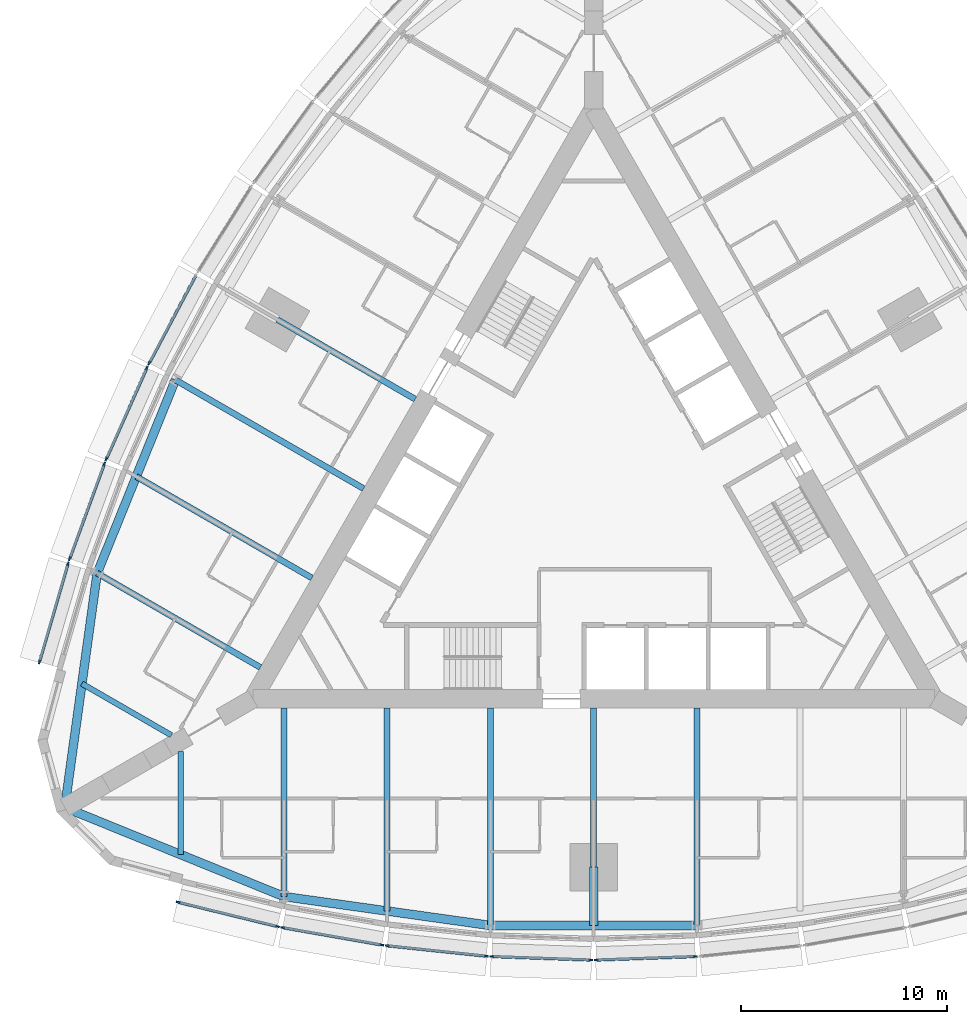
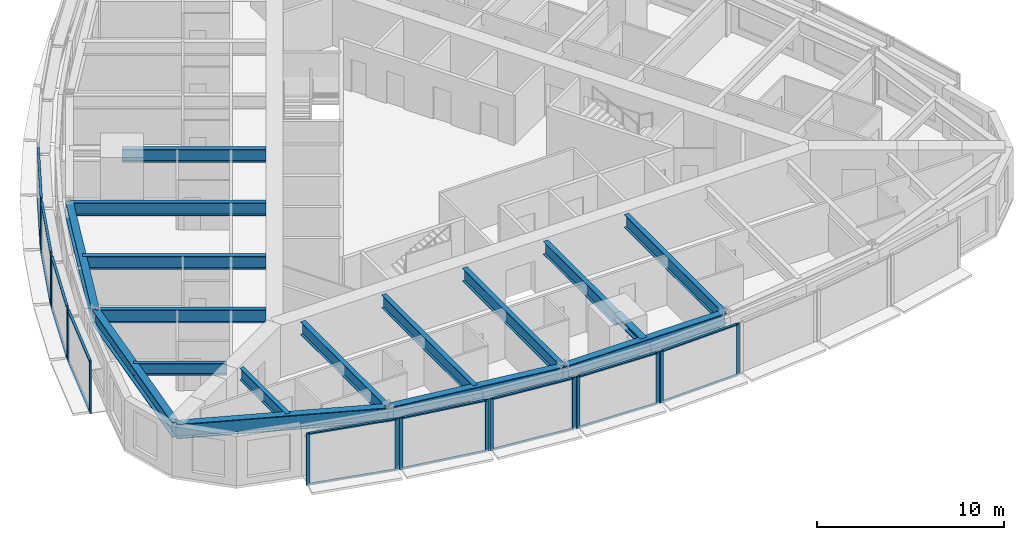
# One storey, part 2 of 14: 35 members, 17 beams, 9 elements without a shape of their own.
"""IFC4 building model written with IfcOpenShell, lengths in metres."""

from ifc_helpers import new_model, si_unit, direction, frame, origin, origin_2d, place, context, subcontext, project, spatial, rectangle, i_section, extrude, material, material_profile, profile_set, type_object, element, aggregate, save


model = new_model("IFC4")

# Units and contexts
model_context = context("Model", 3, precision=1e-05, world=origin(), true_north=direction((0.0, 1.0)))
body_context = subcontext(model_context, "Body", "Model", "MODEL_VIEW")
ifc_project = project(units=[si_unit("LENGTHUNIT", "METRE"), si_unit("AREAUNIT", "SQUARE_METRE"), si_unit("VOLUMEUNIT", "CUBIC_METRE"), si_unit("PLANEANGLEUNIT", "RADIAN"), si_unit("MASSUNIT", "GRAM", prefix="KILO")], contexts=[model_context])

# Site, building, storey
site_placement = place(None, origin())
site = spatial("IfcSite", under=ifc_project, at=site_placement, CompositionType="ELEMENT")
building_placement = place(site_placement, origin())
building = spatial("IfcBuilding", under=site, at=building_placement, Name="Trikona Tower", CompositionType="ELEMENT")
storey_placement = place(building_placement, frame((0.0, 0.0, 114.699951171875)))
storey = spatial("IfcBuildingStorey", under=building, at=storey_placement, Name="L29", CompositionType="ELEMENT", Elevation=114.699951171875)

# Curtain wall, members
ifc_material_1 = material(Name="Aluminium curtain wall system", Category="aluminium")
curtain_wall_type = type_object("IfcCurtainWallType", Name="Curtain wall DS2", PredefinedType="NOTDEFINED", material=ifc_material_1)
curtain_wall_1_placement = place(storey_placement, origin())
curtain_wall_1 = element("IfcCurtainWall", 1, at=curtain_wall_1_placement, inside=storey, type_object=curtain_wall_type, Name="Curtain wall DS2 L29", PredefinedType="NOTDEFINED")
ifc_material_2 = material(Name="Aluminium mullion, pale anodised", Category="aluminium")
ifc_material_profile_1 = material_profile(ifc_material_2, rectangle(XDim=0.080078125, YDim=0.199951171875, at=origin_2d()), Name="MUL-DS2")
ifc_profile_set_1 = profile_set([ifc_material_profile_1], Name="Aluminium mullion, pale anodised")
member_type_1 = type_object("IfcMemberType", Name="Mullion DS2 80x200", PredefinedType="MULLION", material=ifc_profile_set_1)
member_1_placement = place(storey_placement, frame((-20.116943359375, -19.373046875, 0.0), z_axis=(0.0, 0.0, 1.0), x_axis=(0.237970204243, 0.971272455026, 0.0)))
member_1 = element("IfcMember", 2, at=member_1_placement, type_object=member_type_1, Name="CW-DS2 mullion 1", PredefinedType="MULLION", context=body_context, shape_type="SweptSolid", body=[
    extrude(rectangle(XDim=0.080078125, YDim=0.199951171875, at=origin_2d()), origin(), (0.0, 0.0, 1.0), 3.400146484375),
])
member_2_placement = place(storey_placement, frame((-15.311279296875, -20.550537109375, 0.0), z_axis=(0.0, 0.0, 1.0), x_axis=(0.237970204243, 0.971272455026, 0.0)))
member_2 = element("IfcMember", 3, at=member_2_placement, type_object=member_type_1, Name="CW-DS2 mullion 2", PredefinedType="MULLION", context=body_context, shape_type="SweptSolid", body=[
    extrude(rectangle(XDim=0.080078125, YDim=0.199951171875, at=origin_2d()), origin(), (0.0, 0.0, 1.0), 3.400146484375),
])

curtain_wall_2_placement = place(storey_placement, origin())
curtain_wall_2 = element("IfcCurtainWall", 4, at=curtain_wall_2_placement, inside=storey, type_object=curtain_wall_type, Name="Curtain wall DS2 L29", PredefinedType="NOTDEFINED")
member_3_placement = place(storey_placement, frame((-15.056640625, -20.60400390625, 0.0), z_axis=(0.0, 0.0, 1.0), x_axis=(0.17237739505, 0.985030981074, 0.0)))
member_3 = element("IfcMember", 5, at=member_3_placement, type_object=member_type_1, Name="CW-DS2 mullion 1", PredefinedType="MULLION", context=body_context, shape_type="SweptSolid", body=[
    extrude(rectangle(XDim=0.080078125, YDim=0.199951171875, at=origin_2d()), origin(), (0.0, 0.0, 1.0), 3.400146484375),
])
member_4_placement = place(storey_placement, frame((-10.253662109375, -21.444580078125, 0.0), z_axis=(0.0, 0.0, 1.0), x_axis=(0.17237739505, 0.985030981074, 0.0)))
member_4 = element("IfcMember", 6, at=member_4_placement, type_object=member_type_1, Name="CW-DS2 mullion 2", PredefinedType="MULLION", context=body_context, shape_type="SweptSolid", body=[
    extrude(rectangle(XDim=0.080078125, YDim=0.199951171875, at=origin_2d()), origin(), (0.0, 0.0, 1.0), 3.400146484375),
])

curtain_wall_3_placement = place(storey_placement, origin())
curtain_wall_3 = element("IfcCurtainWall", 7, at=curtain_wall_3_placement, inside=storey, type_object=curtain_wall_type, Name="Curtain wall DS2 L29", PredefinedType="NOTDEFINED")
member_5_placement = place(storey_placement, frame((-9.99462890625, -21.480712890625, 0.0), z_axis=(0.0, 0.0, 1.0), x_axis=(0.104433387357, 0.994531883654, 0.0)))
member_5 = element("IfcMember", 8, at=member_5_placement, type_object=member_type_1, Name="CW-DS2 mullion 1", PredefinedType="MULLION", context=body_context, shape_type="SweptSolid", body=[
    extrude(rectangle(XDim=0.080078125, YDim=0.199951171875, at=origin_2d()), origin(), (0.0, 0.0, 1.0), 3.400146484375),
])
member_6_placement = place(storey_placement, frame((-5.193359375, -21.98486328125, 0.0), z_axis=(0.0, 0.0, 1.0), x_axis=(0.104433387357, 0.994531883654, 0.0)))
member_6 = element("IfcMember", 9, at=member_6_placement, type_object=member_type_1, Name="CW-DS2 mullion 2", PredefinedType="MULLION", context=body_context, shape_type="SweptSolid", body=[
    extrude(rectangle(XDim=0.080078125, YDim=0.199951171875, at=origin_2d()), origin(), (0.0, 0.0, 1.0), 3.400146484375),
])

curtain_wall_4_placement = place(storey_placement, origin())
curtain_wall_4 = element("IfcCurtainWall", 10, at=curtain_wall_4_placement, inside=storey, type_object=curtain_wall_type, Name="Curtain wall DS2 L29", PredefinedType="NOTDEFINED")
member_7_placement = place(storey_placement, frame((-4.931640625, -22.003173828125, 0.0), z_axis=(0.0, 0.0, 1.0), x_axis=(0.034998320052, 0.99938737114, 0.0)))
member_7 = element("IfcMember", 11, at=member_7_placement, type_object=member_type_1, Name="CW-DS2 mullion 1", PredefinedType="MULLION", context=body_context, shape_type="SweptSolid", body=[
    extrude(rectangle(XDim=0.080078125, YDim=0.199951171875, at=origin_2d()), origin(), (0.0, 0.0, 1.0), 3.400146484375),
])
member_8_placement = place(storey_placement, frame((-0.13134765625, -22.171142578125, 0.0), z_axis=(0.0, 0.0, 1.0), x_axis=(0.034998320052, 0.99938737114, 0.0)))
member_8 = element("IfcMember", 12, at=member_8_placement, type_object=member_type_1, Name="CW-DS2 mullion 2", PredefinedType="MULLION", context=body_context, shape_type="SweptSolid", body=[
    extrude(rectangle(XDim=0.080078125, YDim=0.199951171875, at=origin_2d()), origin(), (0.0, 0.0, 1.0), 3.400146484375),
])

curtain_wall_5_placement = place(storey_placement, origin())
curtain_wall_5 = element("IfcCurtainWall", 13, at=curtain_wall_5_placement, inside=storey, type_object=curtain_wall_type, Name="Curtain wall DS2 L29", PredefinedType="NOTDEFINED")
member_9_placement = place(storey_placement, frame((0.13134765625, -22.171142578125, 0.0), z_axis=(0.0, 0.0, 1.0), x_axis=(-0.034998320052, 0.99938737114, 0.0)))
member_9 = element("IfcMember", 14, at=member_9_placement, type_object=member_type_1, Name="CW-DS2 mullion 1", PredefinedType="MULLION", context=body_context, shape_type="SweptSolid", body=[
    extrude(rectangle(XDim=0.080078125, YDim=0.199951171875, at=origin_2d()), origin(), (0.0, 0.0, 1.0), 3.400146484375),
])
member_10_placement = place(storey_placement, frame((4.931640625, -22.003173828125, 0.0), z_axis=(0.0, 0.0, 1.0), x_axis=(-0.034998320052, 0.99938737114, 0.0)))
member_10 = element("IfcMember", 15, at=member_10_placement, type_object=member_type_1, Name="CW-DS2 mullion 2", PredefinedType="MULLION", context=body_context, shape_type="SweptSolid", body=[
    extrude(rectangle(XDim=0.080078125, YDim=0.199951171875, at=origin_2d()), origin(), (0.0, 0.0, 1.0), 3.400146484375),
])

# Curtain wall, member
curtain_wall_6_placement = place(storey_placement, origin())
curtain_wall_6 = element("IfcCurtainWall", 16, at=curtain_wall_6_placement, inside=storey, type_object=curtain_wall_type, Name="Curtain wall DS2 L29", PredefinedType="NOTDEFINED")
member_11_placement = place(storey_placement, frame((-21.52099609375, 6.730712890625, 0.0), z_axis=(0.0, 0.0, 1.0), x_axis=(0.882996107343, -0.469380308937, 0.0)))
member_11 = element("IfcMember", 17, at=member_11_placement, type_object=member_type_1, Name="CW-DS2 mullion 2", PredefinedType="MULLION", context=body_context, shape_type="SweptSolid", body=[
    extrude(rectangle(XDim=0.080078125, YDim=0.199951171875, at=origin_2d()), origin(), (0.0, 0.0, 1.0), 3.400146484375),
])

# Curtain wall, members
curtain_wall_7_placement = place(storey_placement, origin())
curtain_wall_7 = element("IfcCurtainWall", 18, at=curtain_wall_7_placement, inside=storey, type_object=curtain_wall_type, Name="Curtain wall DS2 L29", PredefinedType="NOTDEFINED")
member_12_placement = place(storey_placement, frame((-21.63623046875, 6.494873046875, 0.0), z_axis=(0.0, 0.0, 1.0), x_axis=(0.913501208767, -0.406836013132, 0.0)))
member_12 = element("IfcMember", 19, at=member_12_placement, type_object=member_type_1, Name="CW-DS2 mullion 1", PredefinedType="MULLION", context=body_context, shape_type="SweptSolid", body=[
    extrude(rectangle(XDim=0.080078125, YDim=0.199951171875, at=origin_2d()), origin(), (0.0, 0.0, 1.0), 3.400146484375),
])
member_13_placement = place(storey_placement, frame((-23.60009765625, 2.0849609375, 0.0), z_axis=(0.0, 0.0, 1.0), x_axis=(0.913501208767, -0.406836013132, 0.0)))
member_13 = element("IfcMember", 20, at=member_13_placement, type_object=member_type_1, Name="CW-DS2 mullion 2", PredefinedType="MULLION", context=body_context, shape_type="SweptSolid", body=[
    extrude(rectangle(XDim=0.080078125, YDim=0.199951171875, at=origin_2d()), origin(), (0.0, 0.0, 1.0), 3.400146484375),
])

curtain_wall_8_placement = place(storey_placement, origin())
curtain_wall_8 = element("IfcCurtainWall", 21, at=curtain_wall_8_placement, inside=storey, type_object=curtain_wall_type, Name="Curtain wall DS2 L29", PredefinedType="NOTDEFINED")
member_14_placement = place(storey_placement, frame((-23.6982421875, 1.84228515625, 0.0), z_axis=(0.0, 0.0, 1.0), x_axis=(0.939253790978, -0.343223420143, 0.0)))
member_14 = element("IfcMember", 22, at=member_14_placement, type_object=member_type_1, Name="CW-DS2 mullion 1", PredefinedType="MULLION", context=body_context, shape_type="SweptSolid", body=[
    extrude(rectangle(XDim=0.080078125, YDim=0.199951171875, at=origin_2d()), origin(), (0.0, 0.0, 1.0), 3.400146484375),
])
member_15_placement = place(storey_placement, frame((-25.371826171875, -2.737548828125, 0.0), z_axis=(0.0, 0.0, 1.0), x_axis=(0.939253790978, -0.343223420143, 0.0)))
member_15 = element("IfcMember", 23, at=member_15_placement, type_object=member_type_1, Name="CW-DS2 mullion 2", PredefinedType="MULLION", context=body_context, shape_type="SweptSolid", body=[
    extrude(rectangle(XDim=0.080078125, YDim=0.199951171875, at=origin_2d()), origin(), (0.0, 0.0, 1.0), 3.400146484375),
])

curtain_wall_9_placement = place(storey_placement, origin())
curtain_wall_9 = element("IfcCurtainWall", 24, at=curtain_wall_9_placement, inside=storey, type_object=curtain_wall_type, Name="Curtain wall DS2 L29", PredefinedType="NOTDEFINED")
member_16_placement = place(storey_placement, frame((-25.452880859375, -2.984619140625, 0.0), z_axis=(0.0, 0.0, 1.0), x_axis=(0.96013310152, -0.279543247757, 0.0)))
member_16 = element("IfcMember", 25, at=member_16_placement, type_object=member_type_1, Name="CW-DS2 mullion 1", PredefinedType="MULLION", context=body_context, shape_type="SweptSolid", body=[
    extrude(rectangle(XDim=0.080078125, YDim=0.199951171875, at=origin_2d()), origin(), (0.0, 0.0, 1.0), 3.400146484375),
])
member_17_placement = place(storey_placement, frame((-26.836181640625, -7.7353515625, 0.0), z_axis=(0.0, 0.0, 1.0), x_axis=(0.96013310152, -0.279543247757, 0.0)))
member_17 = element("IfcMember", 26, at=member_17_placement, type_object=member_type_1, Name="CW-DS2 mullion 2", PredefinedType="MULLION", context=body_context, shape_type="SweptSolid", body=[
    extrude(rectangle(XDim=0.080078125, YDim=0.199951171875, at=origin_2d()), origin(), (0.0, 0.0, 1.0), 3.400146484375),
])

# Beams
ifc_material_3 = material(Name="Steel ASTM A992 Grade 50", Category="steel")
ifc_material_profile_2 = material_profile(ifc_material_3, i_section(OverallWidth=0.419189453125, OverallDepth=0.45458984375, WebThickness=0.042236328125, FlangeThickness=0.067626953125, at=origin_2d()), Name="W14X370")
ifc_profile_set_2 = profile_set([ifc_material_profile_2], Name="Steel ASTM A992 Grade 50")
beam_type_1 = type_object("IfcBeamType", Name="Steel beam W14x370 (apex bracket)", PredefinedType="BEAM", material=ifc_profile_set_2)
beam_1_placement = place(storey_placement, frame((0.0, -17.680419921875, 3.0078125), z_axis=(0.0, -1.0, 0.0), x_axis=(1.0, 0.0, 0.0)))
element("IfcBeam", 27, at=beam_1_placement, inside=storey, type_object=beam_type_1, Name="Cantilever bracket L30 F1", PredefinedType="BEAM", context=body_context, shape_type="SweptSolid", body=[
    extrude(i_section(OverallWidth=0.419189453125, OverallDepth=0.45458984375, WebThickness=0.042236328125, FlangeThickness=0.067626953125, at=origin_2d()), origin(), (0.0, 0.0, 1.0), 2.81982421875),
])
ifc_material_4 = material(Name="Steel ASTM A992 Grade 50", Category="steel")
ifc_material_profile_3 = material_profile(ifc_material_4, i_section(OverallWidth=0.2666015625, OverallDepth=0.76953125, WebThickness=0.015625, FlangeThickness=0.025390625, at=origin_2d()), Name="W30X132")
ifc_profile_set_3 = profile_set([ifc_material_profile_3], Name="Steel ASTM A992 Grade 50")
beam_type_2 = type_object("IfcBeamType", Name="Steel beam W30x132 (wedge)", PredefinedType="BEAM", material=ifc_profile_set_3)
beam_2_placement = place(storey_placement, frame((-20.0, -12.066650390625, 2.850341796875), z_axis=(0.0, -1.0, 0.0), x_axis=(1.0, 0.0, 0.0)))
element("IfcBeam", 28, at=beam_2_placement, inside=storey, type_object=beam_type_2, Name="Floor beam L30 F1 u-20", PredefinedType="BEAM", context=body_context, shape_type="SweptSolid", body=[
    extrude(i_section(OverallWidth=0.2666015625, OverallDepth=0.76953125, WebThickness=0.015625, FlangeThickness=0.025390625, at=origin_2d()), origin(), (0.0, 0.0, 1.0), 5.00048828125),
])
beam_3_placement = place(storey_placement, frame((-20.449951171875, -11.287109375, 2.850341796875), z_axis=(-0.866038434829, 0.49997742889, 0.0), x_axis=(-0.49997742889, -0.866038434829, 0.0)))
element("IfcBeam", 29, at=beam_3_placement, inside=storey, type_object=beam_type_2, Name="Floor beam L30 F3 u20", PredefinedType="BEAM", context=body_context, shape_type="SweptSolid", body=[
    extrude(i_section(OverallWidth=0.2666015625, OverallDepth=0.76953125, WebThickness=0.015625, FlangeThickness=0.025390625, at=origin_2d()), origin(), (0.0, 0.0, 1.0), 5.000732421875),
])
ifc_material_5 = material(Name="Steel ASTM A992 Grade 50", Category="steel")
ifc_material_profile_4 = material_profile(ifc_material_5, i_section(OverallWidth=0.2919921875, OverallDepth=0.845703125, WebThickness=0.015380859375, FlangeThickness=0.0244140625, at=origin_2d()), Name="W33X141")
ifc_profile_set_4 = profile_set([ifc_material_profile_4], Name="Steel ASTM A992 Grade 50")
beam_type_3 = type_object("IfcBeamType", Name="Steel beam W33x141 (radial typ)", PredefinedType="BEAM", material=ifc_profile_set_4)
beam_4_placement = place(storey_placement, frame((-15.0, -9.976318359375, 2.812255859375), z_axis=(0.0, -1.0, 0.0), x_axis=(1.0, 0.0, 0.0)))
element("IfcBeam", 30, at=beam_4_placement, inside=storey, type_object=beam_type_3, Name="Floor beam L30 F1 u-15", PredefinedType="BEAM", context=body_context, shape_type="SweptSolid", body=[
    extrude(i_section(OverallWidth=0.2919921875, OverallDepth=0.845703125, WebThickness=0.015380859375, FlangeThickness=0.0244140625, at=origin_2d()), origin(), (0.0, 0.0, 1.0), 9.123779296875),
])
beam_5_placement = place(storey_placement, frame((-10.0, -9.976318359375, 2.812255859375), z_axis=(0.0, -1.0, 0.0), x_axis=(1.0, 0.0, 0.0)))
element("IfcBeam", 31, at=beam_5_placement, inside=storey, type_object=beam_type_3, Name="Floor beam L30 F1 u-10", PredefinedType="BEAM", context=body_context, shape_type="SweptSolid", body=[
    extrude(i_section(OverallWidth=0.2919921875, OverallDepth=0.845703125, WebThickness=0.015380859375, FlangeThickness=0.0244140625, at=origin_2d()), origin(), (0.0, 0.0, 1.0), 9.823974609375),
])
beam_6_placement = place(storey_placement, frame((-5.0, -9.976318359375, 2.812255859375), z_axis=(0.0, -1.0, 0.0), x_axis=(1.0, 0.0, 0.0)))
element("IfcBeam", 32, at=beam_6_placement, inside=storey, type_object=beam_type_3, Name="Floor beam L30 F1 u-5", PredefinedType="BEAM", context=body_context, shape_type="SweptSolid", body=[
    extrude(i_section(OverallWidth=0.2919921875, OverallDepth=0.845703125, WebThickness=0.015380859375, FlangeThickness=0.0244140625, at=origin_2d()), origin(), (0.0, 0.0, 1.0), 10.52392578125),
])
beam_7_placement = place(storey_placement, frame((0.0, -9.976318359375, 2.812255859375), z_axis=(0.0, -1.0, 0.0), x_axis=(1.0, 0.0, 0.0)))
element("IfcBeam", 33, at=beam_7_placement, inside=storey, type_object=beam_type_3, Name="Floor beam L30 F1 u0", PredefinedType="BEAM", context=body_context, shape_type="SweptSolid", body=[
    extrude(i_section(OverallWidth=0.2919921875, OverallDepth=0.845703125, WebThickness=0.015380859375, FlangeThickness=0.0244140625, at=origin_2d()), origin(), (0.0, 0.0, 1.0), 7.7041015625),
])
beam_8_placement = place(storey_placement, frame((5.0, -9.976318359375, 2.812255859375), z_axis=(0.0, -1.0, 0.0), x_axis=(1.0, 0.0, 0.0)))
element("IfcBeam", 34, at=beam_8_placement, inside=storey, type_object=beam_type_3, Name="Floor beam L30 F1 u5", PredefinedType="BEAM", context=body_context, shape_type="SweptSolid", body=[
    extrude(i_section(OverallWidth=0.2919921875, OverallDepth=0.845703125, WebThickness=0.015380859375, FlangeThickness=0.0244140625, at=origin_2d()), origin(), (0.0, 0.0, 1.0), 10.52392578125),
])
beam_9_placement = place(storey_placement, frame((-8.6396484375, 4.988037109375, 2.812255859375), z_axis=(-0.866017246294, 0.500014128921, 0.0), x_axis=(-0.500014128921, -0.866017246294, 0.0)))
element("IfcBeam", 35, at=beam_9_placement, inside=storey, type_object=beam_type_3, Name="Floor beam L30 F3 u0", PredefinedType="BEAM", context=body_context, shape_type="SweptSolid", body=[
    extrude(i_section(OverallWidth=0.2919921875, OverallDepth=0.845703125, WebThickness=0.015380859375, FlangeThickness=0.0244140625, at=origin_2d()), origin(), (0.0, 0.0, 1.0), 7.704345703125),
])
beam_10_placement = place(storey_placement, frame((-11.1396484375, 0.657958984375, 2.812255859375), z_axis=(-0.866026035623, 0.499998905622, 0.0), x_axis=(-0.499998905622, -0.866026035623, 0.0)))
element("IfcBeam", 36, at=beam_10_placement, inside=storey, type_object=beam_type_3, Name="Floor beam L30 F3 u5", PredefinedType="BEAM", context=body_context, shape_type="SweptSolid", body=[
    extrude(i_section(OverallWidth=0.2919921875, OverallDepth=0.845703125, WebThickness=0.015380859375, FlangeThickness=0.0244140625, at=origin_2d()), origin(), (0.0, 0.0, 1.0), 10.52392578125),
])
beam_11_placement = place(storey_placement, frame((-13.6396484375, -3.672119140625, 2.812255859375), z_axis=(-0.866020046725, 0.500009278584, 0.0), x_axis=(-0.500009278584, -0.866020046725, 0.0)))
element("IfcBeam", 37, at=beam_11_placement, inside=storey, type_object=beam_type_3, Name="Floor beam L30 F3 u10", PredefinedType="BEAM", context=body_context, shape_type="SweptSolid", body=[
    extrude(i_section(OverallWidth=0.2919921875, OverallDepth=0.845703125, WebThickness=0.015380859375, FlangeThickness=0.0244140625, at=origin_2d()), origin(), (0.0, 0.0, 1.0), 9.823974609375),
])
beam_12_placement = place(storey_placement, frame((-16.1396484375, -8.002197265625, 2.812255859375), z_axis=(-0.866024725532, 0.500001174766, 0.0), x_axis=(-0.500001174766, -0.866024725532, 0.0)))
element("IfcBeam", 38, at=beam_12_placement, inside=storey, type_object=beam_type_3, Name="Floor beam L30 F3 u15", PredefinedType="BEAM", context=body_context, shape_type="SweptSolid", body=[
    extrude(i_section(OverallWidth=0.2919921875, OverallDepth=0.845703125, WebThickness=0.015380859375, FlangeThickness=0.0244140625, at=origin_2d()), origin(), (0.0, 0.0, 1.0), 9.1240234375),
])
ifc_material_6 = material(Name="Steel ASTM A992 Grade 50", Category="steel")
ifc_material_profile_5 = material_profile(ifc_material_6, i_section(OverallWidth=0.424072265625, OverallDepth=0.947509765625, WebThickness=0.02392578125, FlangeThickness=0.042724609375, at=origin_2d()), Name="W36X302")
ifc_profile_set_5 = profile_set([ifc_material_profile_5], Name="Steel ASTM A992 Grade 50")
beam_type_4 = type_object("IfcBeamType", Name="Steel beam W36x302 (spandrel)", PredefinedType="SPANDREL", material=ifc_profile_set_5)
beam_13_placement = place(storey_placement, frame((-25.6103515625, -14.7861328125, 2.76123046875), z_axis=(0.926359695662, -0.376640032728, 0.0), x_axis=(0.376640032728, 0.926359695662, 0.0)))
element("IfcBeam", 39, at=beam_13_placement, inside=storey, type_object=beam_type_4, Name="Spandrel beam L30 F1-1", PredefinedType="SPANDREL", context=body_context, shape_type="SweptSolid", body=[
    extrude(i_section(OverallWidth=0.424072265625, OverallDepth=0.947509765625, WebThickness=0.02392578125, FlangeThickness=0.042724609375, at=origin_2d()), origin(), (0.0, 0.0, 1.0), 11.453857421875),
])
beam_14_placement = place(storey_placement, frame((-15.0, -19.10009765625, 2.76123046875), z_axis=(0.990339754644, -0.13866207258, 0.0), x_axis=(0.13866207258, 0.990339754644, 0.0)))
element("IfcBeam", 40, at=beam_14_placement, inside=storey, type_object=beam_type_4, Name="Spandrel beam L30 F1-2", PredefinedType="SPANDREL", context=body_context, shape_type="SweptSolid", body=[
    extrude(i_section(OverallWidth=0.424072265625, OverallDepth=0.947509765625, WebThickness=0.02392578125, FlangeThickness=0.042724609375, at=origin_2d()), origin(), (0.0, 0.0, 1.0), 10.09765625),
])
beam_15_placement = place(storey_placement, frame((-5.0, -20.500244140625, 2.76123046875), z_axis=(1.0, 0.0, 0.0), x_axis=(0.0, 1.0, 0.0)))
element("IfcBeam", 41, at=beam_15_placement, inside=storey, type_object=beam_type_4, Name="Spandrel beam L30 F1-3", PredefinedType="SPANDREL", context=body_context, shape_type="SweptSolid", body=[
    extrude(i_section(OverallWidth=0.424072265625, OverallDepth=0.947509765625, WebThickness=0.02392578125, FlangeThickness=0.042724609375, at=origin_2d()), origin(), (0.0, 0.0, 1.0), 10.0),
])
beam_16_placement = place(storey_placement, frame((-20.253662109375, 5.919921875, 2.76123046875), z_axis=(-0.375106193787, -0.926981846307, 0.0), x_axis=(0.926981846307, -0.375106193787, 0.0)))
element("IfcBeam", 42, at=beam_16_placement, inside=storey, type_object=beam_type_4, Name="Spandrel beam L30 F3-4", PredefinedType="SPANDREL", context=body_context, shape_type="SweptSolid", body=[
    extrude(i_section(OverallWidth=0.424072265625, OverallDepth=0.947509765625, WebThickness=0.02392578125, FlangeThickness=0.042724609375, at=origin_2d()), origin(), (0.0, 0.0, 1.0), 10.097412109375),
])
beam_17_placement = place(storey_placement, frame((-24.041259765625, -3.440185546875, 2.76123046875), z_axis=(-0.136991535842, -0.990572218017, 0.0), x_axis=(0.990572218017, -0.136991535842, 0.0)))
element("IfcBeam", 43, at=beam_17_placement, inside=storey, type_object=beam_type_4, Name="Spandrel beam L30 F3-5", PredefinedType="SPANDREL", context=body_context, shape_type="SweptSolid", body=[
    extrude(i_section(OverallWidth=0.424072265625, OverallDepth=0.947509765625, WebThickness=0.02392578125, FlangeThickness=0.042724609375, at=origin_2d()), origin(), (0.0, 0.0, 1.0), 11.453857421875),
])

# Member
ifc_material_7 = material(Name="Aluminium transom, pale anodised", Category="aluminium")
ifc_material_profile_6 = material_profile(ifc_material_7, rectangle(XDim=0.139892578125, YDim=0.080078125, at=origin_2d()), Name="TRN-DS2")
ifc_profile_set_6 = profile_set([ifc_material_profile_6], Name="Aluminium transom, pale anodised")
member_type_2 = type_object("IfcMemberType", Name="Transom DS2 80x140", PredefinedType="USERDEFINED", material=ifc_profile_set_6)
member_18_placement = place(storey_placement, frame((-20.078125, -19.382568359375, 0.0400390625), z_axis=(0.971270583303, -0.237977843528, 0.0), x_axis=(0.237977843528, 0.971270583303, 0.0)))
member_18 = element("IfcMember", 44, at=member_18_placement, type_object=member_type_2, Name="CW-DS2 transom 1.1", ObjectType="TRANSOM", PredefinedType="USERDEFINED", context=body_context, shape_type="SweptSolid", body=[
    extrude(rectangle(XDim=0.139892578125, YDim=0.080078125, at=origin_2d()), origin(), (0.0, 0.0, 1.0), 4.867919921875),
])

member_19_placement = place(storey_placement, frame((-20.078125, -19.382568359375, 3.360107421875), z_axis=(0.971270583303, -0.237977843528, 0.0), x_axis=(0.237977843528, 0.971270583303, 0.0)))
member_19 = element("IfcMember", 45, at=member_19_placement, type_object=member_type_2, Name="CW-DS2 transom 1.2", ObjectType="TRANSOM", PredefinedType="USERDEFINED", context=body_context, shape_type="SweptSolid", body=[
    extrude(rectangle(XDim=0.139892578125, YDim=0.080078125, at=origin_2d()), origin(), (0.0, 0.0, 1.0), 4.867919921875),
])

aggregate(curtain_wall_1, [member_1, member_2, member_18, member_19])

member_20_placement = place(storey_placement, frame((-15.01708984375, -20.61083984375, 0.0400390625), z_axis=(0.98503262804, -0.172367983387, 0.0), x_axis=(0.172367983387, 0.98503262804, 0.0)))
member_20 = element("IfcMember", 46, at=member_20_placement, type_object=member_type_2, Name="CW-DS2 transom 1.1", ObjectType="TRANSOM", PredefinedType="USERDEFINED", context=body_context, shape_type="SweptSolid", body=[
    extrude(rectangle(XDim=0.139892578125, YDim=0.080078125, at=origin_2d()), origin(), (0.0, 0.0, 1.0), 4.7958984375),
])

member_21_placement = place(storey_placement, frame((-15.01708984375, -20.61083984375, 3.360107421875), z_axis=(0.98503262804, -0.172367983387, 0.0), x_axis=(0.172367983387, 0.98503262804, 0.0)))
member_21 = element("IfcMember", 47, at=member_21_placement, type_object=member_type_2, Name="CW-DS2 transom 1.2", ObjectType="TRANSOM", PredefinedType="USERDEFINED", context=body_context, shape_type="SweptSolid", body=[
    extrude(rectangle(XDim=0.139892578125, YDim=0.080078125, at=origin_2d()), origin(), (0.0, 0.0, 1.0), 4.7958984375),
])

aggregate(curtain_wall_2, [member_3, member_4, member_20, member_21])

member_22_placement = place(storey_placement, frame((-9.954833984375, -21.48486328125, 0.0400390625), z_axis=(0.99453106441, -0.104441188822, 0.0), x_axis=(0.104441188822, 0.99453106441, 0.0)))
member_22 = element("IfcMember", 48, at=member_22_placement, type_object=member_type_2, Name="CW-DS2 transom 1.1", ObjectType="TRANSOM", PredefinedType="USERDEFINED", context=body_context, shape_type="SweptSolid", body=[
    extrude(rectangle(XDim=0.139892578125, YDim=0.080078125, at=origin_2d()), origin(), (0.0, 0.0, 1.0), 4.74755859375),
])

member_23_placement = place(storey_placement, frame((-9.954833984375, -21.48486328125, 3.360107421875), z_axis=(0.99453106441, -0.104441188822, 0.0), x_axis=(0.104441188822, 0.99453106441, 0.0)))
member_23 = element("IfcMember", 49, at=member_23_placement, type_object=member_type_2, Name="CW-DS2 transom 1.2", ObjectType="TRANSOM", PredefinedType="USERDEFINED", context=body_context, shape_type="SweptSolid", body=[
    extrude(rectangle(XDim=0.139892578125, YDim=0.080078125, at=origin_2d()), origin(), (0.0, 0.0, 1.0), 4.74755859375),
])

aggregate(curtain_wall_3, [member_5, member_6, member_22, member_23])

member_24_placement = place(storey_placement, frame((-4.8916015625, -22.00439453125, 0.0400390625), z_axis=(0.999385692759, -0.035046213908, 0.0), x_axis=(0.035046213908, 0.999385692759, 0.0)))
member_24 = element("IfcMember", 50, at=member_24_placement, type_object=member_type_2, Name="CW-DS2 transom 1.1", ObjectType="TRANSOM", PredefinedType="USERDEFINED", context=body_context, shape_type="SweptSolid", body=[
    extrude(rectangle(XDim=0.139892578125, YDim=0.080078125, at=origin_2d()), origin(), (0.0, 0.0, 1.0), 4.72314453125),
])

member_25_placement = place(storey_placement, frame((-4.8916015625, -22.00439453125, 3.360107421875), z_axis=(0.999385692759, -0.035046213908, 0.0), x_axis=(0.035046213908, 0.999385692759, 0.0)))
member_25 = element("IfcMember", 51, at=member_25_placement, type_object=member_type_2, Name="CW-DS2 transom 1.2", ObjectType="TRANSOM", PredefinedType="USERDEFINED", context=body_context, shape_type="SweptSolid", body=[
    extrude(rectangle(XDim=0.139892578125, YDim=0.080078125, at=origin_2d()), origin(), (0.0, 0.0, 1.0), 4.72314453125),
])

aggregate(curtain_wall_4, [member_7, member_8, member_24, member_25])

member_26_placement = place(storey_placement, frame((0.17138671875, -22.169921875, 0.0400390625), z_axis=(0.999385692759, 0.035046213908, 0.0), x_axis=(-0.035046213908, 0.999385692759, 0.0)))
member_26 = element("IfcMember", 52, at=member_26_placement, type_object=member_type_2, Name="CW-DS2 transom 1.1", ObjectType="TRANSOM", PredefinedType="USERDEFINED", context=body_context, shape_type="SweptSolid", body=[
    extrude(rectangle(XDim=0.139892578125, YDim=0.080078125, at=origin_2d()), origin(), (0.0, 0.0, 1.0), 4.72314453125),
])

member_27_placement = place(storey_placement, frame((0.17138671875, -22.169921875, 3.360107421875), z_axis=(0.999385692759, 0.035046213908, 0.0), x_axis=(-0.035046213908, 0.999385692759, 0.0)))
member_27 = element("IfcMember", 53, at=member_27_placement, type_object=member_type_2, Name="CW-DS2 transom 1.2", ObjectType="TRANSOM", PredefinedType="USERDEFINED", context=body_context, shape_type="SweptSolid", body=[
    extrude(rectangle(XDim=0.139892578125, YDim=0.080078125, at=origin_2d()), origin(), (0.0, 0.0, 1.0), 4.72314453125),
])

aggregate(curtain_wall_5, [member_9, member_10, member_26, member_27])

member_28_placement = place(storey_placement, frame((-19.285400390625, 10.9365234375, 0.0400390625), z_axis=(-0.469364343408, -0.883004594063, 0.0), x_axis=(0.883004594063, -0.469364343408, 0.0)))
member_28 = element("IfcMember", 54, at=member_28_placement, type_object=member_type_2, Name="CW-DS2 transom 1.1", ObjectType="TRANSOM", PredefinedType="USERDEFINED", context=body_context, shape_type="SweptSolid", body=[
    extrude(rectangle(XDim=0.139892578125, YDim=0.080078125, at=origin_2d()), origin(), (0.0, 0.0, 1.0), 4.722900390625),
])

member_29_placement = place(storey_placement, frame((-19.285400390625, 10.9365234375, 3.360107421875), z_axis=(-0.469364343408, -0.883004594063, 0.0), x_axis=(0.883004594063, -0.469364343408, 0.0)))
member_29 = element("IfcMember", 55, at=member_29_placement, type_object=member_type_2, Name="CW-DS2 transom 1.2", ObjectType="TRANSOM", PredefinedType="USERDEFINED", context=body_context, shape_type="SweptSolid", body=[
    extrude(rectangle(XDim=0.139892578125, YDim=0.080078125, at=origin_2d()), origin(), (0.0, 0.0, 1.0), 4.722900390625),
])

aggregate(curtain_wall_6, [member_11, member_28, member_29])

member_30_placement = place(storey_placement, frame((-21.65234375, 6.458251953125, 0.0400390625), z_axis=(-0.406839769607, -0.913499535778, 0.0), x_axis=(0.913499535778, -0.406839769607, 0.0)))
member_30 = element("IfcMember", 56, at=member_30_placement, type_object=member_type_2, Name="CW-DS2 transom 1.1", ObjectType="TRANSOM", PredefinedType="USERDEFINED", context=body_context, shape_type="SweptSolid", body=[
    extrude(rectangle(XDim=0.139892578125, YDim=0.080078125, at=origin_2d()), origin(), (0.0, 0.0, 1.0), 4.747314453125),
])

member_31_placement = place(storey_placement, frame((-21.65234375, 6.458251953125, 3.360107421875), z_axis=(-0.406839769607, -0.913499535778, 0.0), x_axis=(0.913499535778, -0.406839769607, 0.0)))
member_31 = element("IfcMember", 57, at=member_31_placement, type_object=member_type_2, Name="CW-DS2 transom 1.2", ObjectType="TRANSOM", PredefinedType="USERDEFINED", context=body_context, shape_type="SweptSolid", body=[
    extrude(rectangle(XDim=0.139892578125, YDim=0.080078125, at=origin_2d()), origin(), (0.0, 0.0, 1.0), 4.747314453125),
])

aggregate(curtain_wall_7, [member_12, member_13, member_30, member_31])

member_32_placement = place(storey_placement, frame((-23.712158203125, 1.8046875, 0.0400390625), z_axis=(-0.343205907674, -0.939260190223, 0.0), x_axis=(0.939260190223, -0.343205907674, 0.0)))
member_32 = element("IfcMember", 58, at=member_32_placement, type_object=member_type_2, Name="CW-DS2 transom 1.1", ObjectType="TRANSOM", PredefinedType="USERDEFINED", context=body_context, shape_type="SweptSolid", body=[
    extrude(rectangle(XDim=0.139892578125, YDim=0.080078125, at=origin_2d()), origin(), (0.0, 0.0, 1.0), 4.7958984375),
])

member_33_placement = place(storey_placement, frame((-23.712158203125, 1.8046875, 3.360107421875), z_axis=(-0.343205907674, -0.939260190223, 0.0), x_axis=(0.939260190223, -0.343205907674, 0.0)))
member_33 = element("IfcMember", 59, at=member_33_placement, type_object=member_type_2, Name="CW-DS2 transom 1.2", ObjectType="TRANSOM", PredefinedType="USERDEFINED", context=body_context, shape_type="SweptSolid", body=[
    extrude(rectangle(XDim=0.139892578125, YDim=0.080078125, at=origin_2d()), origin(), (0.0, 0.0, 1.0), 4.7958984375),
])

aggregate(curtain_wall_8, [member_14, member_15, member_32, member_33])

member_34_placement = place(storey_placement, frame((-25.464111328125, -3.023193359375, 0.0400390625), z_axis=(-0.279566628153, -0.960126293996, 0.0), x_axis=(0.960126293996, -0.279566628153, 0.0)))
member_34 = element("IfcMember", 60, at=member_34_placement, type_object=member_type_2, Name="CW-DS2 transom 1.1", ObjectType="TRANSOM", PredefinedType="USERDEFINED", context=body_context, shape_type="SweptSolid", body=[
    extrude(rectangle(XDim=0.139892578125, YDim=0.080078125, at=origin_2d()), origin(), (0.0, 0.0, 1.0), 4.86767578125),
])

member_35_placement = place(storey_placement, frame((-25.464111328125, -3.023193359375, 3.360107421875), z_axis=(-0.279566628153, -0.960126293996, 0.0), x_axis=(0.960126293996, -0.279566628153, 0.0)))
member_35 = element("IfcMember", 61, at=member_35_placement, type_object=member_type_2, Name="CW-DS2 transom 1.2", ObjectType="TRANSOM", PredefinedType="USERDEFINED", context=body_context, shape_type="SweptSolid", body=[
    extrude(rectangle(XDim=0.139892578125, YDim=0.080078125, at=origin_2d()), origin(), (0.0, 0.0, 1.0), 4.86767578125),
])

aggregate(curtain_wall_9, [member_16, member_17, member_34, member_35])

save(model, "model.ifc")
